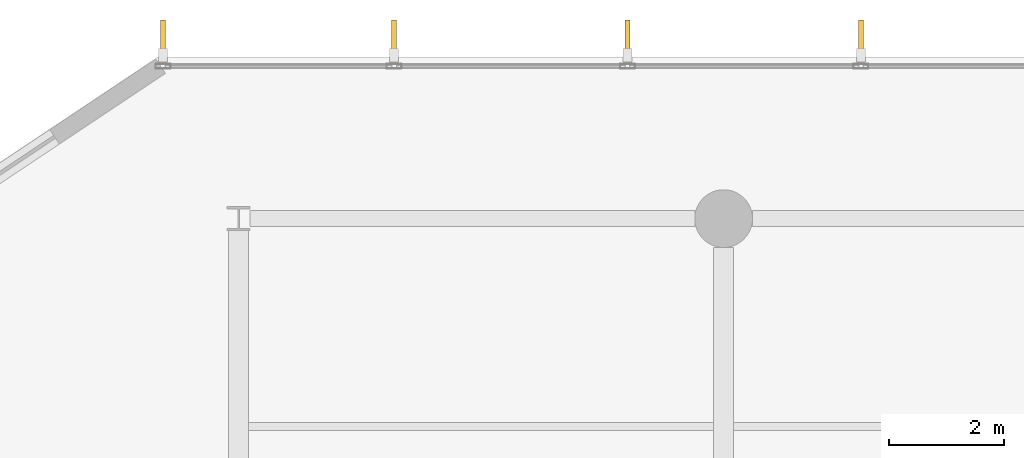
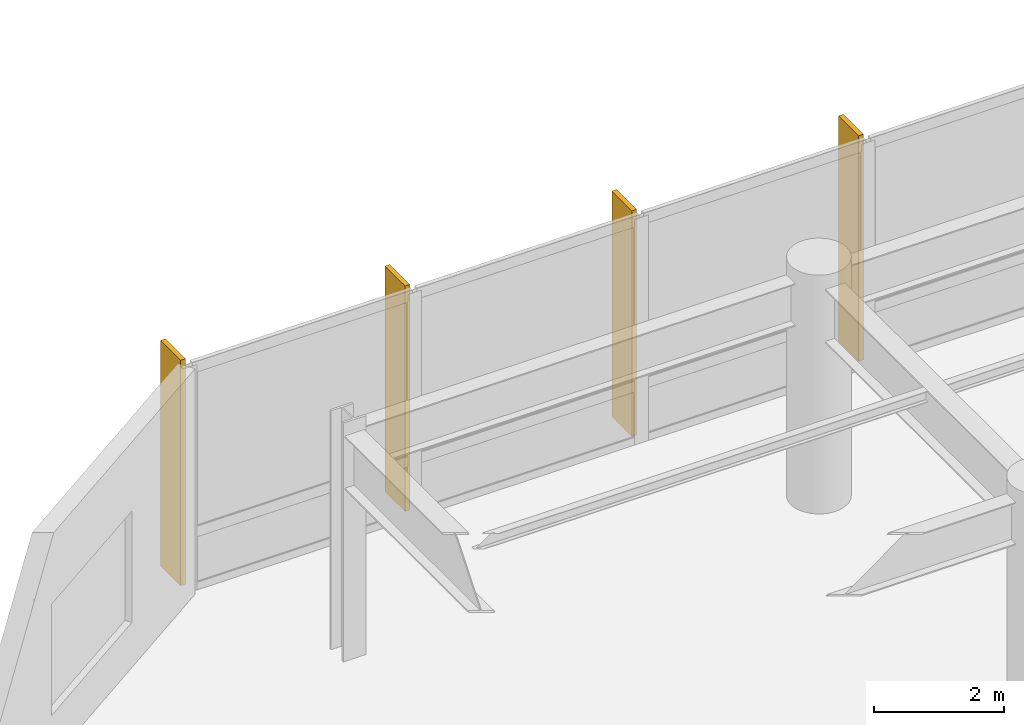
# One storey, part 24 of 26: 4 shading devices.
"""IFC4 building model written with IfcOpenShell, lengths in metres."""

from ifc_helpers import new_model, si_unit, direction, frame, origin, origin_2d, place, context, subcontext, project, spatial, rectangle, extrude, material, layer, layer_set, type_object, element, save


model = new_model("IFC4")

# Units and contexts
model_context = context("Model", 3, precision=1e-05, world=origin(), true_north=direction((0.0, 1.0)))
body_context = subcontext(model_context, "Body", "Model", "MODEL_VIEW")
ifc_project = project(units=[si_unit("LENGTHUNIT", "METRE"), si_unit("AREAUNIT", "SQUARE_METRE"), si_unit("VOLUMEUNIT", "CUBIC_METRE"), si_unit("PLANEANGLEUNIT", "RADIAN"), si_unit("MASSUNIT", "GRAM", prefix="KILO")], contexts=[model_context])

# Site, building, storey
site_placement = place(None, origin())
site = spatial("IfcSite", under=ifc_project, at=site_placement, CompositionType="ELEMENT")
building_placement = place(site_placement, origin())
building = spatial("IfcBuilding", under=site, at=building_placement, Name="Varnakote Quay Hospital", CompositionType="ELEMENT")
storey_placement = place(building_placement, frame((0.0, 0.0, 13.5)))
storey = spatial("IfcBuildingStorey", under=building, at=storey_placement, Name="L03", CompositionType="ELEMENT", Elevation=13.5)

# Shading devices
ifc_material = material(Name="Anodised aluminium 6063-T6 Bronze", Category="aluminium")
ifc_layer = layer(ifc_material, 0.0849609375)
ifc_layer_set = layer_set([ifc_layer], Name="Anodised aluminium 6063-T6 Bronze")
shading_device_type = type_object("IfcShadingDeviceType", Name="SHD-BRONZE-FIN-620", PredefinedType="USERDEFINED", material=ifc_layer_set)
for number, where, z_axis, x_axis, name in (
    (1, (61.178955078125, 47.1298828125, 0.0), (0.0, 0.0, 1.0), (0.0, -1.0, 0.0), "L03 Anodised Bronze Vertical Shading FIN"),
    (2, (57.135498046875, 47.1298828125, 0.0), (0.0, 0.0, 1.0), (0.0, -1.0, 0.0), "L03 Anodised Bronze Vertical Shading FIN"),
    (3, (53.091796875, 47.1298828125, 0.0), (0.0, 0.0, 1.0), (0.0, -1.0, 0.0), "L03 Anodised Bronze Vertical Shading FIN"),
    (4, (49.0908203125, 47.1298828125, 0.0), (0.0, 0.0, 1.0), (0.0, -1.0, 0.0), "L03 Anodised Bronze Vertical Shading FIN"),
):
    element("IfcShadingDevice", number, at=place(storey_placement, frame(where, z_axis=z_axis, x_axis=x_axis)), inside=storey, type_object=shading_device_type, Name=name, ObjectType="FIN", PredefinedType="USERDEFINED", context=body_context, shape_type="SweptSolid", body=[
        extrude(rectangle(XDim=0.6201171875, YDim=0.0849609375, at=origin_2d()), origin(), (0.0, 0.0, 1.0), 4.25),
    ])

save(model, "model.ifc")
